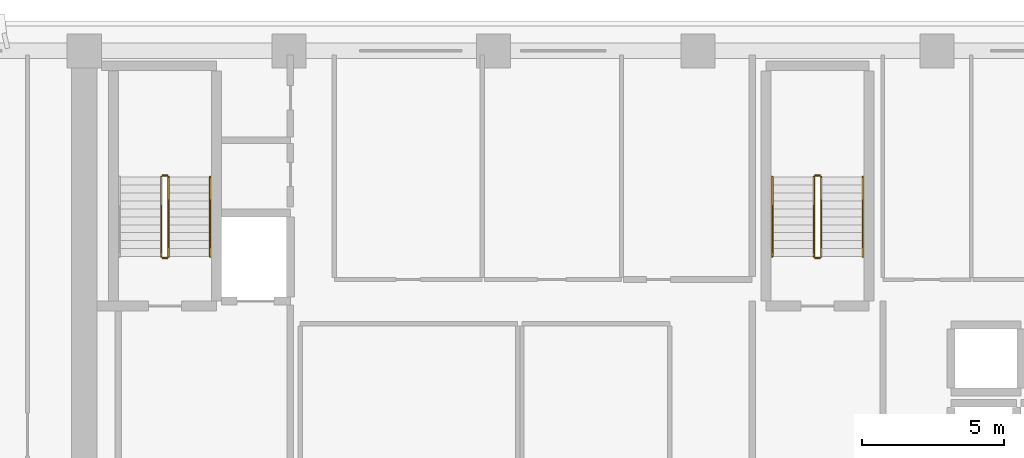
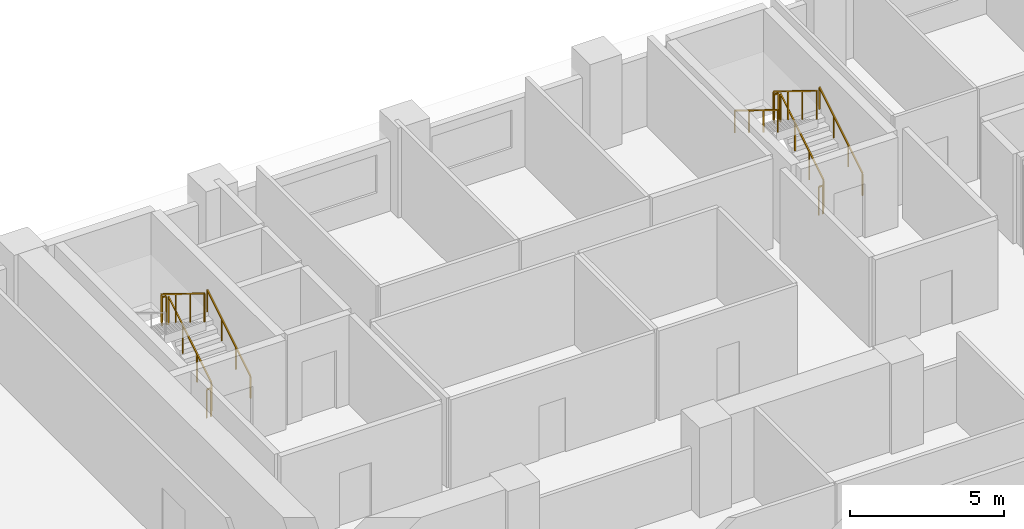
# One storey, part 12 of 14: 11 railings.
"""IFC4 building model written with IfcOpenShell, lengths in metres."""

from ifc_helpers import new_model, si_unit, direction, frame, origin, origin_2d, place, context, subcontext, project, spatial, rectangle, extrude, material, type_object, element, save


model = new_model("IFC4")

# Units and contexts
model_context = context("Model", 3, precision=1e-05, world=origin(), true_north=direction((0.0, 1.0)))
body_context = subcontext(model_context, "Body", "Model", "MODEL_VIEW")
ifc_project = project(units=[si_unit("LENGTHUNIT", "METRE"), si_unit("AREAUNIT", "SQUARE_METRE"), si_unit("VOLUMEUNIT", "CUBIC_METRE"), si_unit("PLANEANGLEUNIT", "RADIAN"), si_unit("MASSUNIT", "GRAM", prefix="KILO")], contexts=[model_context])

# Site, building, storey
site_placement = place(None, origin())
site = spatial("IfcSite", under=ifc_project, at=site_placement, CompositionType="ELEMENT")
building_placement = place(site_placement, origin())
building = spatial("IfcBuilding", under=site, at=building_placement, Name="Kaelvorn Grand Hotel", CompositionType="ELEMENT")
storey_placement = place(building_placement, frame((0.0, 0.0, 197.75)))
storey = spatial("IfcBuildingStorey", under=building, at=storey_placement, Name="L48", CompositionType="ELEMENT", Elevation=197.75)

# Railings
ifc_material = material(Name="Stainless Steel", Category="steel")
railing_type_1 = type_object("IfcRailingType", Name="RL-HANDRAIL-900", PredefinedType="HANDRAIL", material=ifc_material)
for number, where, name in (
    (1, (20.6298828125, 41.760009765625, 0.172607421875), "L48 ST1 stair handrail 1"),
    (2, (43.590087890625, 41.760009765625, 0.172607421875), "L48 ST2 stair handrail 1"),
):
    element("IfcRailing", number, at=place(storey_placement, frame(where)), inside=storey, type_object=railing_type_1, Name=name, PredefinedType="HANDRAIL", context=body_context, shape_type="SweptSolid", body=[
        extrude(rectangle(XDim=0.048095703125, YDim=0.048095703125, at=origin_2d()), frame((0.0, 0.0, 0.8759765625), z_axis=(0.0, 0.851089632645, 0.525020415988), x_axis=(-1.0, 0.0, 0.0)), (0.0, 0.0, 1.0), 3.2900390625),
        extrude(rectangle(XDim=0.0419921875, YDim=0.0419921875, at=origin_2d()), origin(), (0.0, 0.0, 1.0), 0.851806640625),
        extrude(rectangle(XDim=0.0419921875, YDim=0.0419921875, at=origin_2d()), frame((0.0, 0.933349609375, 0.57568359375)), (0.0, 0.0, 1.0), 0.851806640625),
        extrude(rectangle(XDim=0.0419921875, YDim=0.0419921875, at=origin_2d()), frame((0.0, 1.86669921875, 1.151611328125)), (0.0, 0.0, 1.0), 0.851806640625),
        extrude(rectangle(XDim=0.0419921875, YDim=0.0419921875, at=origin_2d()), frame((0.0, 2.800048828125, 1.727294921875)), (0.0, 0.0, 1.0), 0.851806640625),
    ])
railing_1_placement = place(storey_placement, frame((40.409912109375, 44.56005859375, 2.07275390625)))
element("IfcRailing", 3, at=railing_1_placement, inside=storey, type_object=railing_type_1, Name="L48 ST2 stair handrail 2", PredefinedType="HANDRAIL", context=body_context, shape_type="SweptSolid", body=[
    extrude(rectangle(XDim=0.048095703125, YDim=0.048095703125, at=origin_2d()), frame((0.0, 0.0, 0.8759765625), z_axis=(0.0, -0.851089632645, 0.525020415988), x_axis=(1.0, 0.0, 0.0)), (0.0, 0.0, 1.0), 3.2900390625),
    extrude(rectangle(XDim=0.0419921875, YDim=0.0419921875, at=origin_2d()), origin(), (0.0, 0.0, 1.0), 0.851806640625),
    extrude(rectangle(XDim=0.0419921875, YDim=0.0419921875, at=origin_2d()), frame((0.0, -0.933349609375, 0.57568359375)), (0.0, 0.0, 1.0), 0.851806640625),
    extrude(rectangle(XDim=0.0419921875, YDim=0.0419921875, at=origin_2d()), frame((0.0, -1.86669921875, 1.151611328125)), (0.0, 0.0, 1.0), 0.851806640625),
    extrude(rectangle(XDim=0.0419921875, YDim=0.0419921875, at=origin_2d()), frame((0.0, -2.800048828125, 1.727294921875)), (0.0, 0.0, 1.0), 0.851806640625),
])
railing_type_2 = type_object("IfcRailingType", Name="RL-STAIR-GUARD-1150", PredefinedType="BALUSTRADE", material=ifc_material)
railing_2_placement = place(storey_placement, frame((19.169921875, 41.760009765625, 0.172607421875)))
element("IfcRailing", 4, at=railing_2_placement, inside=storey, type_object=railing_type_2, Name="L48 ST1 stair guard 1", PredefinedType="BALUSTRADE", context=body_context, shape_type="SweptSolid", body=[
    extrude(rectangle(XDim=0.048095703125, YDim=0.048095703125, at=origin_2d()), frame((0.0, 0.0, 1.1259765625), z_axis=(0.0, 0.851089632645, 0.525020415988), x_axis=(-1.0, 0.0, 0.0)), (0.0, 0.0, 1.0), 3.2900390625),
    extrude(rectangle(XDim=0.0419921875, YDim=0.0419921875, at=origin_2d()), origin(), (0.0, 0.0, 1.0), 1.101806640625),
    extrude(rectangle(XDim=0.0419921875, YDim=0.0419921875, at=origin_2d()), frame((0.0, 0.933349609375, 0.57568359375)), (0.0, 0.0, 1.0), 1.101806640625),
    extrude(rectangle(XDim=0.0419921875, YDim=0.0419921875, at=origin_2d()), frame((0.0, 1.86669921875, 1.151611328125)), (0.0, 0.0, 1.0), 1.101806640625),
    extrude(rectangle(XDim=0.0419921875, YDim=0.0419921875, at=origin_2d()), frame((0.0, 2.800048828125, 1.727294921875)), (0.0, 0.0, 1.0), 1.101806640625),
])
railing_3_placement = place(storey_placement, frame((19.1201171875, 44.610107421875, 1.89990234375)))
element("IfcRailing", 5, at=railing_3_placement, inside=storey, type_object=railing_type_2, Name="L48 ST1 stair guard 2", PredefinedType="BALUSTRADE", context=body_context, shape_type="SweptSolid", body=[
    extrude(rectangle(XDim=0.048095703125, YDim=0.048095703125, at=origin_2d()), frame((0.0, 0.0, 1.1259765625), z_axis=(-1.0, 0.0, 0.0), x_axis=(0.0, -1.0, 0.0)), (0.0, 0.0, 1.0), 0.16015625),
    extrude(rectangle(XDim=0.0419921875, YDim=0.0419921875, at=origin_2d()), origin(), (0.0, 0.0, 1.0), 1.101806640625),
    extrude(rectangle(XDim=0.0419921875, YDim=0.0419921875, at=origin_2d()), frame((-0.16015625, 0.0, 0.0)), (0.0, 0.0, 1.0), 1.101806640625),
])
railing_4_placement = place(storey_placement, frame((18.909912109375, 44.56005859375, 2.07275390625)))
element("IfcRailing", 6, at=railing_4_placement, inside=storey, type_object=railing_type_2, Name="L48 ST1 stair guard 3", PredefinedType="BALUSTRADE", context=body_context, shape_type="SweptSolid", body=[
    extrude(rectangle(XDim=0.048095703125, YDim=0.048095703125, at=origin_2d()), frame((0.0, 0.0, 1.1259765625), z_axis=(0.0, -0.851089632645, 0.525020415988), x_axis=(1.0, 0.0, 0.0)), (0.0, 0.0, 1.0), 3.2900390625),
    extrude(rectangle(XDim=0.0419921875, YDim=0.0419921875, at=origin_2d()), origin(), (0.0, 0.0, 1.0), 1.101806640625),
    extrude(rectangle(XDim=0.0419921875, YDim=0.0419921875, at=origin_2d()), frame((0.0, -0.933349609375, 0.57568359375)), (0.0, 0.0, 1.0), 1.101806640625),
    extrude(rectangle(XDim=0.0419921875, YDim=0.0419921875, at=origin_2d()), frame((0.0, -1.86669921875, 1.151611328125)), (0.0, 0.0, 1.0), 1.101806640625),
    extrude(rectangle(XDim=0.0419921875, YDim=0.0419921875, at=origin_2d()), frame((0.0, -2.800048828125, 1.727294921875)), (0.0, 0.0, 1.0), 1.101806640625),
])
railing_5_placement = place(storey_placement, frame((19.1201171875, 41.7099609375, 0.0)))
element("IfcRailing", 7, at=railing_5_placement, inside=storey, type_object=railing_type_2, Name="L48 ST1 stair guard 4", PredefinedType="BALUSTRADE", context=body_context, shape_type="SweptSolid", body=[
    extrude(rectangle(XDim=0.048095703125, YDim=0.048095703125, at=origin_2d()), frame((0.0, 0.0, 1.1259765625), z_axis=(-1.0, 0.0, 0.0), x_axis=(0.0, -1.0, 0.0)), (0.0, 0.0, 1.0), 0.16015625),
    extrude(rectangle(XDim=0.0419921875, YDim=0.0419921875, at=origin_2d()), origin(), (0.0, 0.0, 1.0), 1.101806640625),
    extrude(rectangle(XDim=0.0419921875, YDim=0.0419921875, at=origin_2d()), frame((-0.16015625, 0.0, 0.0)), (0.0, 0.0, 1.0), 1.101806640625),
])
railing_6_placement = place(storey_placement, frame((42.1298828125, 41.760009765625, 0.172607421875)))
element("IfcRailing", 8, at=railing_6_placement, inside=storey, type_object=railing_type_2, Name="L48 ST2 stair guard 1", PredefinedType="BALUSTRADE", context=body_context, shape_type="SweptSolid", body=[
    extrude(rectangle(XDim=0.048095703125, YDim=0.048095703125, at=origin_2d()), frame((0.0, 0.0, 1.1259765625), z_axis=(0.0, 0.851089632645, 0.525020415988), x_axis=(-1.0, 0.0, 0.0)), (0.0, 0.0, 1.0), 3.2900390625),
    extrude(rectangle(XDim=0.0419921875, YDim=0.0419921875, at=origin_2d()), origin(), (0.0, 0.0, 1.0), 1.101806640625),
    extrude(rectangle(XDim=0.0419921875, YDim=0.0419921875, at=origin_2d()), frame((0.0, 0.933349609375, 0.57568359375)), (0.0, 0.0, 1.0), 1.101806640625),
    extrude(rectangle(XDim=0.0419921875, YDim=0.0419921875, at=origin_2d()), frame((0.0, 1.86669921875, 1.151611328125)), (0.0, 0.0, 1.0), 1.101806640625),
    extrude(rectangle(XDim=0.0419921875, YDim=0.0419921875, at=origin_2d()), frame((0.0, 2.800048828125, 1.727294921875)), (0.0, 0.0, 1.0), 1.101806640625),
])
railing_7_placement = place(storey_placement, frame((42.080078125, 44.610107421875, 1.89990234375)))
element("IfcRailing", 9, at=railing_7_placement, inside=storey, type_object=railing_type_2, Name="L48 ST2 stair guard 2", PredefinedType="BALUSTRADE", context=body_context, shape_type="SweptSolid", body=[
    extrude(rectangle(XDim=0.048095703125, YDim=0.048095703125, at=origin_2d()), frame((0.0, 0.0, 1.1259765625), z_axis=(-1.0, 0.0, 0.0), x_axis=(0.0, -1.0, 0.0)), (0.0, 0.0, 1.0), 0.16015625),
    extrude(rectangle(XDim=0.0419921875, YDim=0.0419921875, at=origin_2d()), origin(), (0.0, 0.0, 1.0), 1.101806640625),
    extrude(rectangle(XDim=0.0419921875, YDim=0.0419921875, at=origin_2d()), frame((-0.16015625, 0.0, 0.0)), (0.0, 0.0, 1.0), 1.101806640625),
])
railing_8_placement = place(storey_placement, frame((41.8701171875, 44.56005859375, 2.07275390625)))
element("IfcRailing", 10, at=railing_8_placement, inside=storey, type_object=railing_type_2, Name="L48 ST2 stair guard 3", PredefinedType="BALUSTRADE", context=body_context, shape_type="SweptSolid", body=[
    extrude(rectangle(XDim=0.048095703125, YDim=0.048095703125, at=origin_2d()), frame((0.0, 0.0, 1.1259765625), z_axis=(0.0, -0.851089632645, 0.525020415988), x_axis=(1.0, 0.0, 0.0)), (0.0, 0.0, 1.0), 3.2900390625),
    extrude(rectangle(XDim=0.0419921875, YDim=0.0419921875, at=origin_2d()), origin(), (0.0, 0.0, 1.0), 1.101806640625),
    extrude(rectangle(XDim=0.0419921875, YDim=0.0419921875, at=origin_2d()), frame((0.0, -0.933349609375, 0.57568359375)), (0.0, 0.0, 1.0), 1.101806640625),
    extrude(rectangle(XDim=0.0419921875, YDim=0.0419921875, at=origin_2d()), frame((0.0, -1.86669921875, 1.151611328125)), (0.0, 0.0, 1.0), 1.101806640625),
    extrude(rectangle(XDim=0.0419921875, YDim=0.0419921875, at=origin_2d()), frame((0.0, -2.800048828125, 1.727294921875)), (0.0, 0.0, 1.0), 1.101806640625),
])
railing_9_placement = place(storey_placement, frame((42.080078125, 41.7099609375, 0.0)))
element("IfcRailing", 11, at=railing_9_placement, inside=storey, type_object=railing_type_2, Name="L48 ST2 stair guard 4", PredefinedType="BALUSTRADE", context=body_context, shape_type="SweptSolid", body=[
    extrude(rectangle(XDim=0.048095703125, YDim=0.048095703125, at=origin_2d()), frame((0.0, 0.0, 1.1259765625), z_axis=(-1.0, 0.0, 0.0), x_axis=(0.0, -1.0, 0.0)), (0.0, 0.0, 1.0), 0.16015625),
    extrude(rectangle(XDim=0.0419921875, YDim=0.0419921875, at=origin_2d()), origin(), (0.0, 0.0, 1.0), 1.101806640625),
    extrude(rectangle(XDim=0.0419921875, YDim=0.0419921875, at=origin_2d()), frame((-0.16015625, 0.0, 0.0)), (0.0, 0.0, 1.0), 1.101806640625),
])

save(model, "model.ifc")
